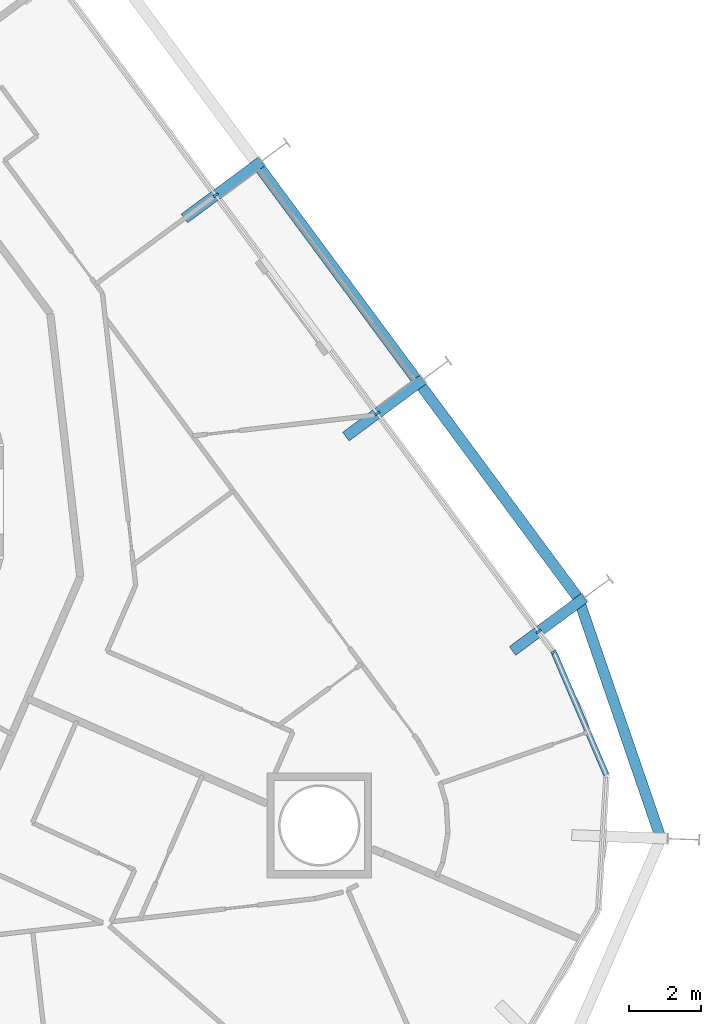
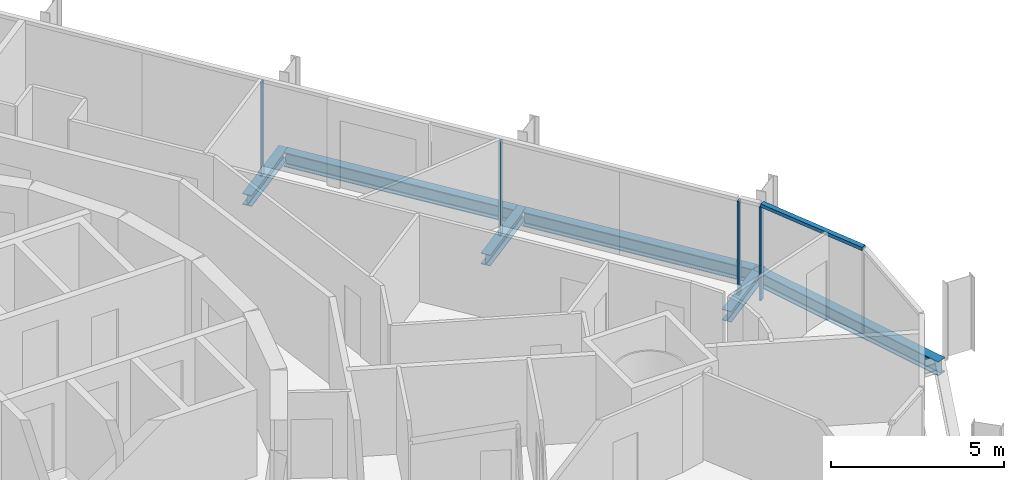
# One storey, part 8 of 23: 6 beams, 5 members, 2 elements without a shape of their own.
"""IFC4 building model written with IfcOpenShell, lengths in metres."""

from ifc_helpers import new_model, si_unit, direction, frame, origin, origin_2d, place, context, subcontext, project, spatial, rectangle, i_section, extrude, material, layer, layer_set, material_profile, profile_set, type_object, element, aggregate, save


model = new_model("IFC4")

# Units and contexts
model_context = context("Model", 3, precision=1e-05, world=origin(), true_north=direction((0.0, 1.0)))
body_context = subcontext(model_context, "Body", "Model", "MODEL_VIEW")
ifc_project = project(units=[si_unit("LENGTHUNIT", "METRE"), si_unit("AREAUNIT", "SQUARE_METRE"), si_unit("VOLUMEUNIT", "CUBIC_METRE"), si_unit("PLANEANGLEUNIT", "RADIAN"), si_unit("MASSUNIT", "GRAM", prefix="KILO")], contexts=[model_context])

# Site, building, storey
site_placement = place(None, origin())
site = spatial("IfcSite", under=ifc_project, at=site_placement, CompositionType="ELEMENT")
building_placement = place(site_placement, origin())
building = spatial("IfcBuilding", under=site, at=building_placement, Name="Spindle Arch Residences", CompositionType="ELEMENT")
storey_placement = place(building_placement, frame((0.0, 0.0, 104.699951171875)))
storey = spatial("IfcBuildingStorey", under=building, at=storey_placement, Name="L25", CompositionType="ELEMENT", Elevation=104.699951171875)

# Curtain wall, member
ifc_material_1 = material(Name="Aluminium bronze unitised frame with tinted glass", Category="aluminium")
ifc_layer_1 = layer(ifc_material_1, 0.159912109375)
ifc_layer_set_1 = layer_set([ifc_layer_1], Name="CW-D corner wall on the fillet arcs")
curtain_wall_type_1 = type_object("IfcCurtainWallType", Name="CW-D corner wall on the fillet arcs", PredefinedType="NOTDEFINED", material=ifc_layer_set_1)
curtain_wall_1_placement = place(storey_placement, origin())
curtain_wall_1 = element("IfcCurtainWall", 1, at=curtain_wall_1_placement, inside=storey, type_object=curtain_wall_type_1, Name="CW-D L25 run 1", PredefinedType="NOTDEFINED")
ifc_material_2 = material(Name="Aluminium bronze anodised mullion", Category="aluminium")
ifc_material_profile_1 = material_profile(ifc_material_2, rectangle(XDim=0.159912109375, YDim=0.06005859375, at=origin_2d()), Name="MU 60x160")
ifc_profile_set_1 = profile_set([ifc_material_profile_1], Name="Aluminium bronze anodised mullion")
member_type_1 = type_object("IfcMemberType", Name="Bronze mullion 60x160", PredefinedType="MULLION", material=ifc_profile_set_1)
member_1_placement = place(storey_placement, frame((27.142822265625, -4.171630859375, -0.3798828125), z_axis=(0.0, 0.0, 1.0), x_axis=(-0.803856860617, -0.594822786751, 0.0)))
member_1 = element("IfcMember", 2, at=member_1_placement, type_object=member_type_1, Name="CW-D mullion 05", PredefinedType="MULLION", context=body_context, shape_type="SweptSolid", body=[
    extrude(rectangle(XDim=0.159912109375, YDim=0.06005859375, at=origin_2d()), origin(), (0.0, 0.0, 1.0), 3.309814453125),
])

# Curtain wall, members
ifc_material_3 = material(Name="Aluminium bronze unitised frame with tinted glass", Category="aluminium")
ifc_layer_2 = layer(ifc_material_3, 0.159912109375)
ifc_layer_set_2 = layer_set([ifc_layer_2], Name="CW-C typical residential unitised wall")
curtain_wall_type_2 = type_object("IfcCurtainWallType", Name="CW-C typical residential unitised wall", PredefinedType="NOTDEFINED", material=ifc_layer_set_2)
curtain_wall_2_placement = place(storey_placement, origin())
curtain_wall_2 = element("IfcCurtainWall", 3, at=curtain_wall_2_placement, inside=storey, type_object=curtain_wall_type_2, Name="CW-C L25 run 2", PredefinedType="NOTDEFINED")
member_2_placement = place(storey_placement, frame((26.7255859375, -3.607666015625, -0.3798828125), z_axis=(0.0, 0.0, 1.0), x_axis=(-0.803856860617, -0.594822786751, 0.0)))
member_2 = element("IfcMember", 4, at=member_2_placement, type_object=member_type_1, Name="CW-C mullion 05", PredefinedType="MULLION", context=body_context, shape_type="SweptSolid", body=[
    extrude(rectangle(XDim=0.159912109375, YDim=0.06005859375, at=origin_2d()), origin(), (0.0, 0.0, 1.0), 3.309814453125),
])
member_3_placement = place(storey_placement, frame((22.253173828125, 2.436279296875, -0.3798828125), z_axis=(0.0, 0.0, 1.0), x_axis=(-0.803856860617, -0.594822786751, 0.0)))
member_3 = element("IfcMember", 5, at=member_3_placement, type_object=member_type_1, Name="CW-C mullion 06", PredefinedType="MULLION", context=body_context, shape_type="SweptSolid", body=[
    extrude(rectangle(XDim=0.159912109375, YDim=0.06005859375, at=origin_2d()), origin(), (0.0, 0.0, 1.0), 3.309814453125),
])
member_4_placement = place(storey_placement, frame((17.78076171875, 8.48046875, -0.3798828125), z_axis=(0.0, 0.0, 1.0), x_axis=(-0.803856860617, -0.594822786751, 0.0)))
member_4 = element("IfcMember", 6, at=member_4_placement, type_object=member_type_1, Name="CW-C mullion 07", PredefinedType="MULLION", context=body_context, shape_type="SweptSolid", body=[
    extrude(rectangle(XDim=0.159912109375, YDim=0.06005859375, at=origin_2d()), origin(), (0.0, 0.0, 1.0), 3.309814453125),
])
aggregate(curtain_wall_2, [member_2, member_3, member_4])

# Member
ifc_material_4 = material(Name="Aluminium bronze anodised transom", Category="aluminium")
ifc_material_profile_2 = material_profile(ifc_material_4, rectangle(XDim=0.159912109375, YDim=0.1201171875, at=origin_2d()), Name="TR 120x160")
ifc_profile_set_2 = profile_set([ifc_material_profile_2], Name="Aluminium bronze anodised transom")
member_type_2 = type_object("IfcMemberType", Name="Bronze transom 120x160", PredefinedType="USERDEFINED", material=ifc_profile_set_2)
member_5_placement = place(storey_placement, frame((28.59716796875, -7.5703125, 2.989990234375), z_axis=(-0.393429066236, 0.919354974882, 0.0), x_axis=(-0.919354974882, -0.393429066236, 0.0)))
member_5 = element("IfcMember", 7, at=member_5_placement, type_object=member_type_2, Name="CW-D transom 04", ObjectType="TRANSOM", PredefinedType="USERDEFINED", context=body_context, shape_type="SweptSolid", body=[
    extrude(rectangle(XDim=0.159912109375, YDim=0.1201171875, at=origin_2d()), origin(), (0.0, 0.0, 1.0), 3.666748046875),
])

aggregate(curtain_wall_1, [member_5, member_1])

# Beams
ifc_material_5 = material(Name="Steel S460ML, intumescent coating R 120", Category="steel")
ifc_material_profile_3 = material_profile(ifc_material_5, i_section(OverallWidth=0.300048828125, OverallDepth=0.5, WebThickness=0.014404296875, FlangeThickness=0.028076171875, FilletRadius=0.027099609375, at=origin_2d()), Name="HEB 500")
ifc_profile_set_3 = profile_set([ifc_material_profile_3], Name="Steel S460ML, intumescent coating R 120")
beam_type_1 = type_object("IfcBeamType", Name="Exoskeleton edge beam HEB 500", PredefinedType="BEAM", material=ifc_profile_set_3)
beam_1_placement = place(storey_placement, frame((30.13720703125, -9.4111328125, -0.6298828125), z_axis=(-0.325113431361, 0.94567502703, 0.0), x_axis=(-0.94567502703, -0.325113431361, 0.0)))
element("IfcBeam", 8, at=beam_1_placement, inside=storey, type_object=beam_type_1, Name="Exoskeleton edge beam 5", PredefinedType="BEAM", context=body_context, shape_type="SweptSolid", body=[
    extrude(i_section(OverallWidth=0.300048828125, OverallDepth=0.5, WebThickness=0.014404296875, FlangeThickness=0.028076171875, FilletRadius=0.027099609375, at=origin_2d()), origin(), (0.0, 0.0, 1.0), 7.09423828125),
])
for number, where, z_axis, x_axis, name in (
    (9, (27.800048828125, -2.65087890625, -0.6298828125), (-0.594821272041, 0.803857981441, 0.0), (-0.803857981441, -0.594821272041, 0.0), "Exoskeleton edge beam 6"),
    (10, (23.32763671875, 3.393310546875, -0.6298828125), (-0.594821272041, 0.803857981441, 0.0), (-0.803857981441, -0.594821272041, 0.0), "Exoskeleton edge beam 7"),
):
    element("IfcBeam", number, at=place(storey_placement, frame(where, z_axis=z_axis, x_axis=x_axis)), inside=storey, type_object=beam_type_1, Name=name, PredefinedType="BEAM", context=body_context, shape_type="SweptSolid", body=[
        extrude(i_section(OverallWidth=0.300048828125, OverallDepth=0.5, WebThickness=0.014404296875, FlangeThickness=0.028076171875, FilletRadius=0.027099609375, at=origin_2d()), origin(), (0.0, 0.0, 1.0), 7.2587890625),
    ])
ifc_material_6 = material(Name="Steel S460ML, intumescent coating R 120", Category="steel")
ifc_material_profile_4 = material_profile(ifc_material_6, i_section(OverallWidth=0.300048828125, OverallDepth=0.389892578125, WebThickness=0.010986328125, FlangeThickness=0.01904296875, FilletRadius=0.027099609375, at=origin_2d()), Name="HEA 400")
ifc_profile_set_4 = profile_set([ifc_material_profile_4], Name="Steel S460ML, intumescent coating R 120")
beam_type_2 = type_object("IfcBeamType", Name="Floor outrigger HEA 400", PredefinedType="BEAM", material=ifc_profile_set_4)
beam_2_placement = place(storey_placement, frame((27.987548828125, -2.673828125, -0.574951171875), z_axis=(-0.803824891941, -0.59486598751, 0.0), x_axis=(0.59486598751, -0.803824891941, 0.0)))
element("IfcBeam", 11, at=beam_2_placement, inside=storey, type_object=beam_type_2, Name="Floor outrigger 6", PredefinedType="BEAM", context=body_context, shape_type="SweptSolid", body=[
    extrude(i_section(OverallWidth=0.300048828125, OverallDepth=0.389892578125, WebThickness=0.010986328125, FlangeThickness=0.01904296875, FilletRadius=0.027099609375, at=origin_2d()), origin(), (0.0, 0.0, 1.0), 2.47119140625),
])
beam_3_placement = place(storey_placement, frame((23.51513671875, 3.3701171875, -0.574951171875), z_axis=(-0.803863925893, -0.59481323846, 0.0), x_axis=(0.59481323846, -0.803863925893, 0.0)))
element("IfcBeam", 12, at=beam_3_placement, inside=storey, type_object=beam_type_2, Name="Floor outrigger 7", PredefinedType="BEAM", context=body_context, shape_type="SweptSolid", body=[
    extrude(i_section(OverallWidth=0.300048828125, OverallDepth=0.389892578125, WebThickness=0.010986328125, FlangeThickness=0.01904296875, FilletRadius=0.027099609375, at=origin_2d()), origin(), (0.0, 0.0, 1.0), 2.64990234375),
])
beam_4_placement = place(storey_placement, frame((19.04296875, 9.414306640625, -0.574951171875), z_axis=(-0.80385247079, -0.594828719217, 0.0), x_axis=(0.594828719217, -0.80385247079, 0.0)))
element("IfcBeam", 13, at=beam_4_placement, inside=storey, type_object=beam_type_2, Name="Floor outrigger 8", PredefinedType="BEAM", context=body_context, shape_type="SweptSolid", body=[
    extrude(i_section(OverallWidth=0.300048828125, OverallDepth=0.389892578125, WebThickness=0.010986328125, FlangeThickness=0.01904296875, FilletRadius=0.027099609375, at=origin_2d()), origin(), (0.0, 0.0, 1.0), 2.650146484375),
])

save(model, "model.ifc")
